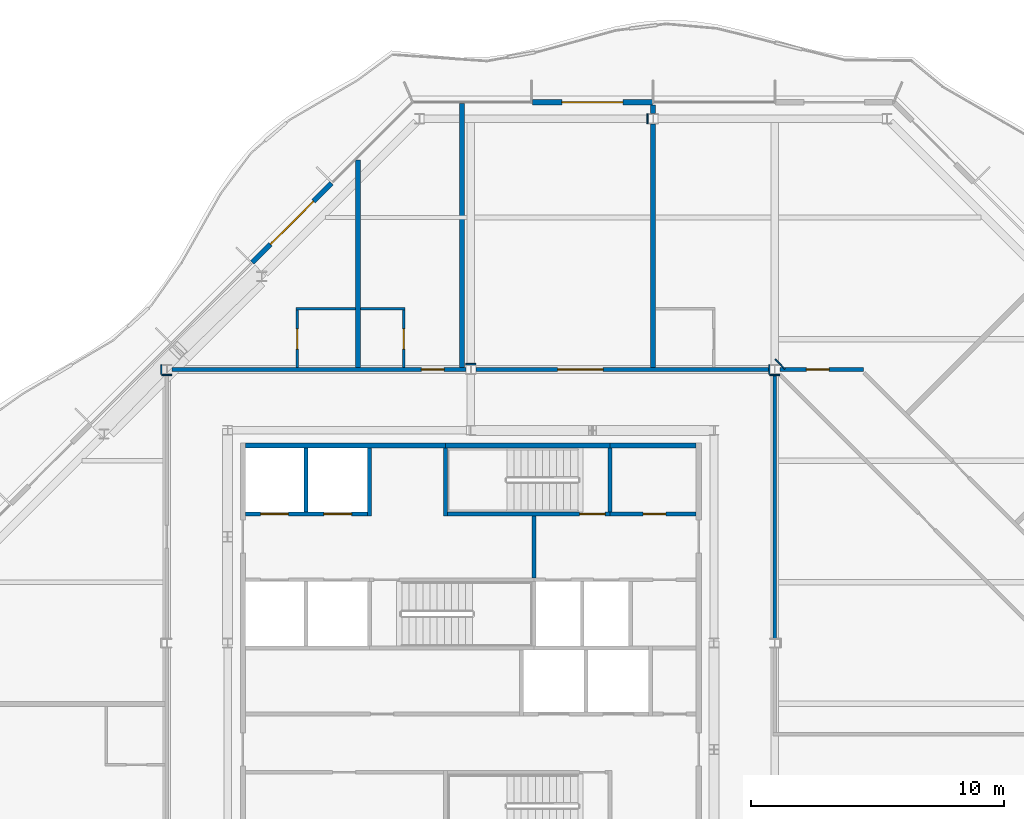
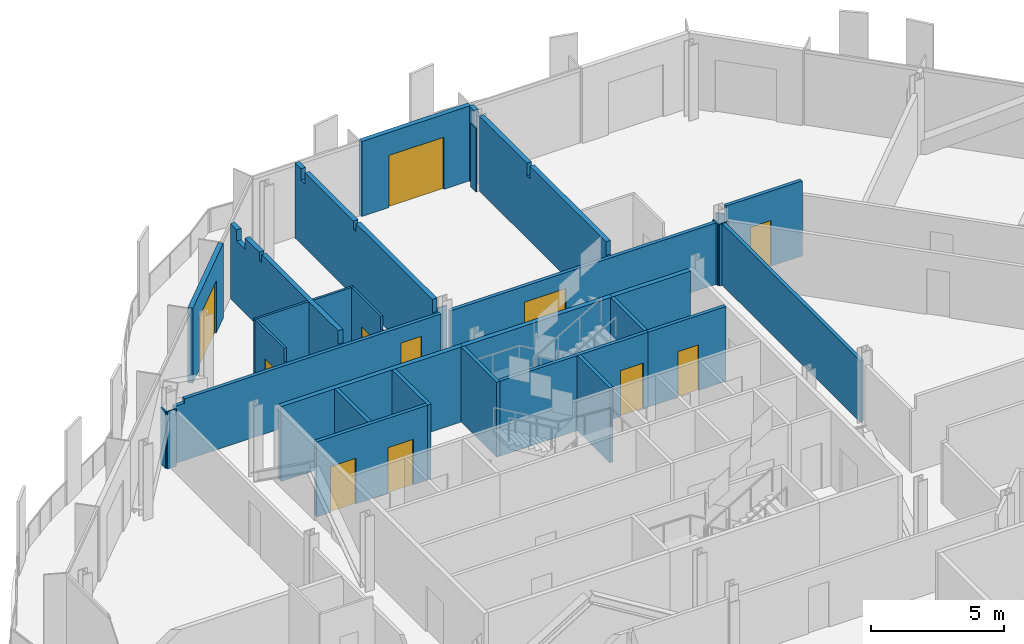
# One storey, part 11 of 17: 32 walls, 11 doors, 11 openings.
"""IFC4 building model written with IfcOpenShell, lengths in metres."""

from ifc_helpers import new_model, si_unit, direction, frame, frame_2d, origin, place, context, subcontext, project, spatial, polyline, rectangle, outline, extrude, material, layer, layer_set, type_object, element, fill, save


model = new_model("IFC4")

# Units and contexts
model_context = context("Model", 3, precision=1e-05, world=origin(), true_north=direction((0.0, 1.0)))
body_context = subcontext(model_context, "Body", "Model", "MODEL_VIEW")
ifc_project = project(units=[si_unit("LENGTHUNIT", "METRE"), si_unit("AREAUNIT", "SQUARE_METRE"), si_unit("VOLUMEUNIT", "CUBIC_METRE"), si_unit("PLANEANGLEUNIT", "RADIAN"), si_unit("MASSUNIT", "GRAM", prefix="KILO")], contexts=[model_context])

# Site, building, storey
site_placement = place(None, origin())
site = spatial("IfcSite", under=ifc_project, at=site_placement, CompositionType="ELEMENT")
building_placement = place(site_placement, origin())
building = spatial("IfcBuilding", under=site, at=building_placement, Name="Cairn Pilgrim Tower", CompositionType="ELEMENT")
storey_placement = place(building_placement, frame((0.0, 0.0, 235.800048828125)))
storey = spatial("IfcBuildingStorey", under=building, at=storey_placement, Name="L60", CompositionType="ELEMENT", Elevation=235.800048828125)

# Wall, opening, door
ifc_material_1 = material(Name="Bronze anodised aluminium insulated sandwich panel with mineral wool fill", Category="aluminium")
ifc_layer_1 = layer(ifc_material_1, 0.199951171875)
ifc_layer_set_1 = layer_set([ifc_layer_1], Name="BRONZE INFILL FRAME WALL 200")
wall_type_1 = type_object("IfcWallType", Name="BRONZE INFILL FRAME WALL 200", PredefinedType="NOTDEFINED", material=ifc_layer_set_1)
wall_1_placement = place(storey_placement, frame((14.3701171875, 23.75, 0.0), z_axis=(0.0, 0.0, 1.0), x_axis=(-1.0, 0.0, 0.0)))
wall_1 = element("IfcWall", 1, at=wall_1_placement, inside=storey, type_object=wall_type_1, Name="Bronze infill frame wall IW-N3", PredefinedType="NOTDEFINED", context=body_context, shape_type="SweptSolid", body=[
    extrude(rectangle(XDim=4.740234375, YDim=0.199951171875, at=frame_2d((2.3701171875, 0.0))), origin(), (0.0, 0.0, 1.0), 3.449951171875),
])
opening_1_placement = place(wall_1_placement, frame((1.169921875, 0.0, 0.0)))
opening_1 = element("IfcOpeningElement", 2, at=opening_1_placement, cuts=wall_1, Name="Opening 6009B", PredefinedType="OPENING", context=body_context, shape_type="SweptSolid", body=[
    extrude(rectangle(XDim=2.39990234375, YDim=2.39990234375, at=frame_2d((1.199951171875, 1.199951171875))), frame((0.0, 0.10986328125, 0.0), z_axis=(0.0, -1.0, 0.0), x_axis=(1.0, 0.0, 0.0)), (0.0, 0.0, 1.0), 0.219970703125),
])
ifc_material_2 = material(Name="Bronze anodised aluminium frame with tinted low-E glass", Category="aluminium")
door_type_1 = type_object("IfcDoorType", Name="BALCONY SLIDING DOOR 2400x2400", OperationType="DOUBLE_DOOR_SLIDING", PredefinedType="DOOR", material=ifc_material_2)
door_1_placement = place(opening_1_placement, origin())
door_1 = element("IfcDoor", 3, at=door_1_placement, inside=storey, type_object=door_type_1, Name="Balcony sliding door 6009B", OperationType="SINGLE_SWING_LEFT", OverallHeight=2.39990234375, OverallWidth=2.39990234375, PredefinedType="DOOR", context=body_context, shape_type="SweptSolid", body=[
    extrude(rectangle(XDim=2.39990234375, YDim=2.39990234375, at=frame_2d((1.199951171875, 1.199951171875))), frame((0.0, 0.02490234375, 0.0), z_axis=(0.0, -1.0, 0.0), x_axis=(1.0, 0.0, 0.0)), (0.0, 0.0, 1.0), 0.050048828125),
])
fill(opening_1, door_1)

wall_2_placement = place(storey_placement, frame((1.706787109375, 20.55322265625, 0.0), z_axis=(0.0, 0.0, 1.0), x_axis=(-0.707106781187, -0.707106781187, 0.0)))
wall_2 = element("IfcWall", 4, at=wall_2_placement, inside=storey, type_object=wall_type_1, Name="Bronze infill frame wall IW-NW2", PredefinedType="NOTDEFINED", context=body_context, shape_type="SweptSolid", body=[
    extrude(rectangle(XDim=4.43115234375, YDim=0.199951171875, at=frame_2d((2.215576171875, 0.0))), origin(), (0.0, 0.0, 1.0), 3.449951171875),
])
opening_2_placement = place(wall_2_placement, frame((1.015869140625, 0.0, 0.0)))
opening_2 = element("IfcOpeningElement", 5, at=opening_2_placement, cuts=wall_2, Name="Opening 6011B2", PredefinedType="OPENING", context=body_context, shape_type="SweptSolid", body=[
    extrude(rectangle(XDim=2.39990234375, YDim=2.39990234375, at=frame_2d((1.199951171875, 1.199951171875))), frame((0.0, 0.10986328125, 0.0), z_axis=(0.0, -1.0, 0.0), x_axis=(1.0, 0.0, 0.0)), (0.0, 0.0, 1.0), 0.219970703125),
])
door_2_placement = place(opening_2_placement, origin())
door_2 = element("IfcDoor", 6, at=door_2_placement, inside=storey, type_object=door_type_1, Name="Balcony sliding door 6011B2", OperationType="SINGLE_SWING_LEFT", OverallHeight=2.39990234375, OverallWidth=2.39990234375, PredefinedType="DOOR", context=body_context, shape_type="SweptSolid", body=[
    extrude(rectangle(XDim=2.39990234375, YDim=2.39990234375, at=frame_2d((1.199951171875, 1.199951171875))), frame((0.0, 0.02490234375, 0.0), z_axis=(0.0, -1.0, 0.0), x_axis=(1.0, 0.0, 0.0)), (0.0, 0.0, 1.0), 0.050048828125),
])
fill(opening_2, door_2)

# Walls
ifc_material_3 = material(Name="Concrete C32/40", Category="concrete")
ifc_layer_2 = layer(ifc_material_3, 0.199951171875)
ifc_layer_set_2 = layer_set([ifc_layer_2], Name="CORE OUTER WALL 200 EI 120")
wall_type_2 = type_object("IfcWallType", Name="CORE OUTER WALL 200 EI 120", PredefinedType="SOLIDWALL", material=ifc_layer_set_2)
wall_3_placement = place(storey_placement, frame((-1.699951171875, 10.199951171875, 0.0), z_axis=(0.0, 0.0, 1.0), x_axis=(1.0, 0.0, 0.0)))
element("IfcWall", 7, at=wall_3_placement, inside=storey, type_object=wall_type_2, Name="CW:L60:H12-1", PredefinedType="SOLIDWALL", context=body_context, shape_type="SweptSolid", body=[
    extrude(rectangle(XDim=7.89990234375, YDim=0.199951171875, at=frame_2d((3.949951171875, 0.0))), origin(), (0.0, 0.0, 1.0), 3.449951171875),
])
wall_4_placement = place(storey_placement, frame((12.699951171875, 10.199951171875, 0.0), z_axis=(0.0, 0.0, 1.0), x_axis=(1.0, 0.0, 0.0)))
element("IfcWall", 8, at=wall_4_placement, inside=storey, type_object=wall_type_2, Name="CW:L60:H12-3", PredefinedType="SOLIDWALL", context=body_context, shape_type="SweptSolid", body=[
    extrude(rectangle(XDim=3.400146484375, YDim=0.199951171875, at=frame_2d((1.7001953125, 0.0))), origin(), (0.0, 0.0, 1.0), 3.449951171875),
])

# Wall, openings, doors
ifc_layer_3 = layer(ifc_material_3, 0.14990234375)
ifc_layer_set_3 = layer_set([ifc_layer_3], Name="CORE SHAFT WALL 150 EI 120")
wall_type_3 = type_object("IfcWallType", Name="CORE SHAFT WALL 150 EI 120", PredefinedType="SOLIDWALL", material=ifc_layer_set_3)
wall_5_placement = place(storey_placement, frame((-1.699951171875, 7.5, 0.0), z_axis=(0.0, 0.0, 1.0), x_axis=(1.0, 0.0, 0.0)))
wall_5 = element("IfcWall", 9, at=wall_5_placement, inside=storey, type_object=wall_type_3, Name="CW:L60:H10", PredefinedType="SOLIDWALL", context=body_context, shape_type="SweptSolid", body=[
    extrude(rectangle(XDim=4.824951171875, YDim=0.14990234375, at=frame_2d((2.41259765625, 0.0))), origin(), (0.0, 0.0, 1.0), 3.449951171875),
])
opening_3_placement = place(wall_5_placement, frame((0.60009765625, 0.0, 0.0)))
opening_3 = element("IfcOpeningElement", 10, at=opening_3_placement, cuts=wall_5, Name="Opening LD-HR3", PredefinedType="OPENING", context=body_context, shape_type="SweptSolid", body=[
    extrude(rectangle(XDim=1.10009765625, YDim=2.10009765625, at=frame_2d((0.550048828125, 1.050048828125))), frame((0.0, 0.0849609375, 0.0), z_axis=(0.0, -1.0, 0.0), x_axis=(1.0, 0.0, 0.0)), (0.0, 0.0, 1.0), 0.169921875),
])
opening_4_placement = place(wall_5_placement, frame((3.10009765625, 0.0, 0.0)))
opening_4 = element("IfcOpeningElement", 11, at=opening_4_placement, cuts=wall_5, Name="Opening LD-HR4", PredefinedType="OPENING", context=body_context, shape_type="SweptSolid", body=[
    extrude(rectangle(XDim=1.10009765625, YDim=2.10009765625, at=frame_2d((0.550048828125, 1.050048828125))), frame((0.0, 0.0849609375, 0.0), z_axis=(0.0, -1.0, 0.0), x_axis=(1.0, 0.0, 0.0)), (0.0, 0.0, 1.0), 0.169921875),
])
ifc_material_4 = material(Name="Stainless steel", Category="steel")
door_type_2 = type_object("IfcDoorType", Name="LIFT LANDING DOOR 1100x2100", OperationType="DOUBLE_DOOR_SLIDING", PredefinedType="DOOR", material=ifc_material_4)
door_3_placement = place(opening_3_placement, origin())
door_3 = element("IfcDoor", 12, at=door_3_placement, inside=storey, type_object=door_type_2, Name="LANDING DOOR HR3", OperationType="DOUBLE_DOOR_SLIDING", OverallHeight=2.10009765625, OverallWidth=1.10009765625, PredefinedType="DOOR", context=body_context, shape_type="SweptSolid", body=[
    extrude(rectangle(XDim=1.10009765625, YDim=2.10009765625, at=frame_2d((0.550048828125, 1.050048828125))), frame((0.0, 0.02490234375, 0.0), z_axis=(0.0, -1.0, 0.0), x_axis=(1.0, 0.0, 0.0)), (0.0, 0.0, 1.0), 0.050048828125),
])
fill(opening_3, door_3)
door_4_placement = place(opening_4_placement, origin())
door_4 = element("IfcDoor", 13, at=door_4_placement, inside=storey, type_object=door_type_2, Name="LANDING DOOR HR4", OperationType="DOUBLE_DOOR_SLIDING", OverallHeight=2.10009765625, OverallWidth=1.10009765625, PredefinedType="DOOR", context=body_context, shape_type="SweptSolid", body=[
    extrude(rectangle(XDim=1.10009765625, YDim=2.10009765625, at=frame_2d((0.550048828125, 1.050048828125))), frame((0.0, 0.02490234375, 0.0), z_axis=(0.0, -1.0, 0.0), x_axis=(1.0, 0.0, 0.0)), (0.0, 0.0, 1.0), 0.050048828125),
])
fill(opening_4, door_4)

# Wall, opening, door
wall_6_placement = place(storey_placement, frame((12.699951171875, 7.5, 0.0), z_axis=(0.0, 0.0, 1.0), x_axis=(1.0, 0.0, 0.0)))
wall_6 = element("IfcWall", 14, at=wall_6_placement, inside=storey, type_object=wall_type_3, Name="CW:L60:H11-2", PredefinedType="SOLIDWALL", context=body_context, shape_type="SweptSolid", body=[
    extrude(rectangle(XDim=3.400146484375, YDim=0.14990234375, at=frame_2d((1.7001953125, 0.0))), origin(), (0.0, 0.0, 1.0), 3.449951171875),
])
opening_5_placement = place(wall_6_placement, frame((1.300048828125, 0.0, 0.0)))
opening_5 = element("IfcOpeningElement", 15, at=opening_5_placement, cuts=wall_6, Name="Opening RD-R4E", PredefinedType="OPENING", context=body_context, shape_type="SweptSolid", body=[
    extrude(rectangle(XDim=0.89990234375, YDim=2.10009765625, at=frame_2d((0.449951171875, 1.050048828125))), frame((0.0, 0.0849609375, 0.0), z_axis=(0.0, -1.0, 0.0), x_axis=(1.0, 0.0, 0.0)), (0.0, 0.0, 1.0), 0.169921875),
])
ifc_material_5 = material(Name="Painted steel", Category="steel")
door_type_3 = type_object("IfcDoorType", Name="SERVICE ROOM DOOR 900x2100", OperationType="SINGLE_SWING_LEFT", PredefinedType="DOOR", material=ifc_material_5)
door_5_placement = place(opening_5_placement, origin())
door_5 = element("IfcDoor", 16, at=door_5_placement, inside=storey, type_object=door_type_3, Name="RD-R4E", OperationType="SINGLE_SWING_RIGHT", OverallHeight=2.10009765625, OverallWidth=0.89990234375, PredefinedType="DOOR", context=body_context, shape_type="SweptSolid", body=[
    extrude(rectangle(XDim=0.89990234375, YDim=2.10009765625, at=frame_2d((0.449951171875, 1.050048828125))), frame((0.0, 0.02490234375, 0.0), z_axis=(0.0, -1.0, 0.0), x_axis=(1.0, 0.0, 0.0)), (0.0, 0.0, 1.0), 0.050048828125),
])
fill(opening_5, door_5)

# Walls
wall_7_placement = place(storey_placement, frame((0.699951171875, 7.574951171875, 0.0), z_axis=(0.0, 0.0, 1.0), x_axis=(0.0, 1.0, 0.0)))
element("IfcWall", 17, at=wall_7_placement, inside=storey, type_object=wall_type_3, Name="CW:L60:V15", PredefinedType="SOLIDWALL", context=body_context, shape_type="SweptSolid", body=[
    extrude(rectangle(XDim=2.525146484375, YDim=0.14990234375, at=frame_2d((1.2626953125, 0.0))), origin(), (0.0, 0.0, 1.0), 3.449951171875),
])
wall_8_placement = place(storey_placement, frame((3.199951171875, 7.425048828125, 0.0), z_axis=(0.0, 0.0, 1.0), x_axis=(0.0, 1.0, 0.0)))
element("IfcWall", 18, at=wall_8_placement, inside=storey, type_object=wall_type_3, Name="CW:L60:V17", PredefinedType="SOLIDWALL", context=body_context, shape_type="SweptSolid", body=[
    extrude(rectangle(XDim=2.675048828125, YDim=0.14990234375, at=frame_2d((1.33740234375, 0.0))), origin(), (0.0, 0.0, 1.0), 3.449951171875),
])
wall_9_placement = place(storey_placement, frame((9.699951171875, 4.97509765625, 0.0), z_axis=(0.0, 0.0, 1.0), x_axis=(0.0, 1.0, 0.0)))
element("IfcWall", 19, at=wall_9_placement, inside=storey, type_object=wall_type_3, Name="CW:L60:V22", PredefinedType="SOLIDWALL", context=body_context, shape_type="SweptSolid", body=[
    extrude(rectangle(XDim=2.449951171875, YDim=0.14990234375, at=frame_2d((1.22509765625, 0.0))), origin(), (0.0, 0.0, 1.0), 3.449951171875),
])

# Wall, opening, door
ifc_material_6 = material(Name="Gypsum partition")
ifc_layer_4 = layer(ifc_material_6, 0.10009765625)
ifc_layer_set_4 = layer_set([ifc_layer_4], Name="PARTITION 100 DRYWALL")
wall_type_4 = type_object("IfcWallType", Name="PARTITION 100 DRYWALL", PredefinedType="PARTITIONING", material=ifc_layer_set_4)
wall_10_placement = place(storey_placement, frame((0.35205078125, 13.27490234375, 0.0), z_axis=(0.0, 0.0, 1.0), x_axis=(0.0, 1.0, 0.0)))
wall_10 = element("IfcWall", 20, at=wall_10_placement, inside=storey, type_object=wall_type_4, Name="PARTITION W070", PredefinedType="PARTITIONING", context=body_context, shape_type="SweptSolid", body=[
    extrude(outline(polyline([(0.0, 0.0), (2.275146484375, 0.0), (2.27490234375, 3.449951171875), (0.074951171875, 3.449951171875), (0.072998046875, 2.829833984375), (0.0, 2.829833984375), (0.0, 0.0)])), frame((0.0, 0.050048828125, 0.0), z_axis=(0.0, -1.0, 0.0), x_axis=(1.0, 0.0, 0.0)), (0.0, 0.0, 1.0), 0.10009765625),
])
opening_6_placement = place(wall_10_placement, frame((0.72509765625, 0.0, 0.0)))
opening_6 = element("IfcOpeningElement", 21, at=opening_6_placement, cuts=wall_10, Name="Opening 6011A", PredefinedType="OPENING", context=body_context, shape_type="SweptSolid", body=[
    extrude(rectangle(XDim=0.800048828125, YDim=2.10009765625, at=frame_2d((0.39990234375, 1.050048828125))), frame((0.0, 0.06005859375, 0.0), z_axis=(0.0, -1.0, 0.0), x_axis=(1.0, 0.0, 0.0)), (0.0, 0.0, 1.0), 0.1201171875),
])
ifc_material_7 = material(Name="Timber door leaf", Category="wood")
door_type_4 = type_object("IfcDoorType", Name="WC DOOR 800x2100", OperationType="NOTDEFINED", PredefinedType="DOOR", material=ifc_material_7)
door_6_placement = place(opening_6_placement, origin())
door_6 = element("IfcDoor", 22, at=door_6_placement, inside=storey, type_object=door_type_4, Name="DOOR 6011A", OperationType="SINGLE_SWING_LEFT", OverallHeight=2.10009765625, OverallWidth=0.800048828125, PredefinedType="DOOR", context=body_context, shape_type="SweptSolid", body=[
    extrude(rectangle(XDim=0.800048828125, YDim=2.10009765625, at=frame_2d((0.39990234375, 1.050048828125))), frame((0.0, 0.02490234375, 0.0), z_axis=(0.0, -1.0, 0.0), x_axis=(1.0, 0.0, 0.0)), (0.0, 0.0, 1.0), 0.050048828125),
])
fill(opening_6, door_6)

wall_11_placement = place(storey_placement, frame((4.552001953125, 13.27490234375, 0.0), z_axis=(0.0, 0.0, 1.0), x_axis=(0.0, 1.0, 0.0)))
wall_11 = element("IfcWall", 23, at=wall_11_placement, inside=storey, type_object=wall_type_4, Name="PARTITION W072", PredefinedType="PARTITIONING", context=body_context, shape_type="SweptSolid", body=[
    extrude(outline(polyline([(0.0, 0.0), (2.275146484375, 0.0), (2.27490234375, 3.449951171875), (0.074951171875, 3.449951171875), (0.072998046875, 2.829833984375), (0.0, 2.829833984375), (0.0, 0.0)])), frame((0.0, 0.050048828125, 0.0), z_axis=(0.0, -1.0, 0.0), x_axis=(1.0, 0.0, 0.0)), (0.0, 0.0, 1.0), 0.10009765625),
])
opening_7_placement = place(wall_11_placement, frame((0.72509765625, 0.0, 0.0)))
opening_7 = element("IfcOpeningElement", 24, at=opening_7_placement, cuts=wall_11, Name="Opening 6010A", PredefinedType="OPENING", context=body_context, shape_type="SweptSolid", body=[
    extrude(rectangle(XDim=0.800048828125, YDim=2.10009765625, at=frame_2d((0.39990234375, 1.050048828125))), frame((0.0, 0.06005859375, 0.0), z_axis=(0.0, -1.0, 0.0), x_axis=(1.0, 0.0, 0.0)), (0.0, 0.0, 1.0), 0.1201171875),
])
door_7_placement = place(opening_7_placement, frame((0.800048828125, 0.0, 0.0), z_axis=(0.0, 0.0, 1.0), x_axis=(-1.0, 0.0, 0.0)))
door_7 = element("IfcDoor", 25, at=door_7_placement, inside=storey, type_object=door_type_4, Name="DOOR 6010A", OperationType="SINGLE_SWING_LEFT", OverallHeight=2.10009765625, OverallWidth=0.800048828125, PredefinedType="DOOR", context=body_context, shape_type="SweptSolid", body=[
    extrude(rectangle(XDim=0.800048828125, YDim=2.10009765625, at=frame_2d((0.39990234375, 1.050048828125))), frame((0.0, 0.02490234375, 0.0), z_axis=(0.0, -1.0, 0.0), x_axis=(1.0, 0.0, 0.0)), (0.0, 0.0, 1.0), 0.050048828125),
])
fill(opening_7, door_7)

# Walls
wall_12_placement = place(storey_placement, frame((0.302001953125, 15.60009765625, 0.0), z_axis=(0.0, 0.0, 1.0), x_axis=(1.0, 0.0, 0.0)))
element("IfcWall", 26, at=wall_12_placement, inside=storey, type_object=wall_type_4, Name="PARTITION W076", PredefinedType="PARTITIONING", context=body_context, shape_type="SweptSolid", body=[
    extrude(rectangle(XDim=2.35009765625, YDim=0.10009765625, at=frame_2d((1.175048828125, 0.0))), origin(), (0.0, 0.0, 1.0), 3.449951171875),
])
wall_13_placement = place(storey_placement, frame((2.85205078125, 15.60009765625, 0.0), z_axis=(0.0, 0.0, 1.0), x_axis=(1.0, 0.0, 0.0)))
element("IfcWall", 27, at=wall_13_placement, inside=storey, type_object=wall_type_4, Name="PARTITION W077", PredefinedType="PARTITIONING", context=body_context, shape_type="SweptSolid", body=[
    extrude(rectangle(XDim=1.75, YDim=0.10009765625, at=frame_2d((0.875, 0.0))), origin(), (0.0, 0.0, 1.0), 3.449951171875),
])
ifc_layer_5 = layer(ifc_material_6, 0.14990234375)
ifc_layer_set_5 = layer_set([ifc_layer_5], Name="PARTITION 150 DRYWALL EI 60")
wall_type_5 = type_object("IfcWallType", Name="PARTITION 150 DRYWALL EI 60", PredefinedType="PARTITIONING", material=ifc_layer_set_5)
wall_14_placement = place(storey_placement, frame((19.199951171875, 2.58740234375, 0.0), z_axis=(0.0, 0.0, 1.0), x_axis=(0.0, 1.0, 0.0)))
element("IfcWall", 28, at=wall_14_placement, inside=storey, type_object=wall_type_5, Name="PARTITION W059", PredefinedType="PARTITIONING", context=body_context, shape_type="SweptSolid", body=[
    extrude(rectangle(XDim=10.425048828125, YDim=0.14990234375, at=frame_2d((5.21240234375, 0.0))), origin(), (0.0, 0.0, 1.0), 2.829833984375),
])

# Wall, opening, door
wall_15_placement = place(storey_placement, frame((-4.60302734375, 13.199951171875, 0.0), z_axis=(0.0, 0.0, 1.0), x_axis=(1.0, 0.0, 0.0)))
wall_15 = element("IfcWall", 29, at=wall_15_placement, inside=storey, type_object=wall_type_5, Name="PARTITION W067", PredefinedType="PARTITIONING", context=body_context, shape_type="SweptSolid", body=[
    extrude(outline(polyline([(0.0, 0.0), (11.60595703125, 0.0), (11.60595703125, 2.829833984375), (0.44580078125, 2.829833984375), (0.44384765625, 2.6298828125), (0.0, 2.6298828125), (0.0, 0.0)])), frame((0.0, 0.074951171875, 0.0), z_axis=(0.0, -1.0, 0.0), x_axis=(1.0, 0.0, 0.0)), (0.0, 0.0, 1.0), 0.14990234375),
])
opening_8_placement = place(wall_15_placement, frame((9.85302734375, 0.0, 0.0)))
opening_8 = element("IfcOpeningElement", 30, at=opening_8_placement, cuts=wall_15, Name="Opening 6010", PredefinedType="OPENING", context=body_context, shape_type="SweptSolid", body=[
    extrude(rectangle(XDim=0.89990234375, YDim=2.10009765625, at=frame_2d((0.449951171875, 1.050048828125))), frame((0.0, 0.0849609375, 0.0), z_axis=(0.0, -1.0, 0.0), x_axis=(1.0, 0.0, 0.0)), (0.0, 0.0, 1.0), 0.169921875),
])
door_type_5 = type_object("IfcDoorType", Name="ROOM DOOR 900x2100 FD30S", OperationType="NOTDEFINED", PredefinedType="DOOR", material=ifc_material_7)
door_8_placement = place(opening_8_placement, origin())
door_8 = element("IfcDoor", 31, at=door_8_placement, inside=storey, type_object=door_type_5, Name="DOOR 6010", OperationType="SINGLE_SWING_LEFT", OverallHeight=2.10009765625, OverallWidth=0.89990234375, PredefinedType="DOOR", context=body_context, shape_type="SweptSolid", body=[
    extrude(rectangle(XDim=0.89990234375, YDim=2.10009765625, at=frame_2d((0.449951171875, 1.050048828125))), frame((0.0, 0.02490234375, 0.0), z_axis=(0.0, -1.0, 0.0), x_axis=(1.0, 0.0, 0.0)), (0.0, 0.0, 1.0), 0.050048828125),
])
fill(opening_8, door_8)

wall_16_placement = place(storey_placement, frame((7.39697265625, 13.199951171875, 0.0), z_axis=(0.0, 0.0, 1.0), x_axis=(1.0, 0.0, 0.0)))
wall_16 = element("IfcWall", 32, at=wall_16_placement, inside=storey, type_object=wall_type_5, Name="PARTITION W068", PredefinedType="PARTITIONING", context=body_context, shape_type="SweptSolid", body=[
    extrude(rectangle(XDim=11.60595703125, YDim=0.14990234375, at=frame_2d((5.802978515625, 0.0))), origin(), (0.0, 0.0, 1.0), 2.829833984375),
])
opening_9_placement = place(wall_16_placement, frame((3.22705078125, 0.0, 0.0)))
opening_9 = element("IfcOpeningElement", 33, at=opening_9_placement, cuts=wall_16, Name="Opening 6009", PredefinedType="OPENING", context=body_context, shape_type="SweptSolid", body=[
    extrude(rectangle(XDim=1.800048828125, YDim=2.10009765625, at=frame_2d((0.89990234375, 1.050048828125))), frame((0.0, 0.0849609375, 0.0), z_axis=(0.0, -1.0, 0.0), x_axis=(1.0, 0.0, 0.0)), (0.0, 0.0, 1.0), 0.169921875),
])
door_type_6 = type_object("IfcDoorType", Name="DOOR PAIR 1800x2100 FD60S", OperationType="NOTDEFINED", PredefinedType="DOOR", material=ifc_material_7)
door_9_placement = place(opening_9_placement, origin())
door_9 = element("IfcDoor", 34, at=door_9_placement, inside=storey, type_object=door_type_6, Name="DOOR 6009", OperationType="DOUBLE_DOOR_SINGLE_SWING", OverallHeight=2.10009765625, OverallWidth=1.800048828125, PredefinedType="DOOR", context=body_context, shape_type="SweptSolid", body=[
    extrude(rectangle(XDim=1.800048828125, YDim=2.10009765625, at=frame_2d((0.89990234375, 1.050048828125))), frame((0.0, 0.02490234375, 0.0), z_axis=(0.0, -1.0, 0.0), x_axis=(1.0, 0.0, 0.0)), (0.0, 0.0, 1.0), 0.050048828125),
])
fill(opening_9, door_9)

wall_17_placement = place(storey_placement, frame((19.39697265625, 13.199951171875, 0.0), z_axis=(0.0, 0.0, 1.0), x_axis=(1.0, 0.0, 0.0)))
wall_17 = element("IfcWall", 35, at=wall_17_placement, inside=storey, type_object=wall_type_5, Name="PARTITION W069", PredefinedType="PARTITIONING", context=body_context, shape_type="SweptSolid", body=[
    extrude(rectangle(XDim=3.30322265625, YDim=0.14990234375, at=frame_2d((1.651611328125, 0.0))), origin(), (0.0, 0.0, 1.0), 3.449951171875),
])
opening_10_placement = place(wall_17_placement, frame((1.050048828125, 0.0, 0.0)))
opening_10 = element("IfcOpeningElement", 36, at=opening_10_placement, cuts=wall_17, Name="Opening 6008", PredefinedType="OPENING", context=body_context, shape_type="SweptSolid", body=[
    extrude(rectangle(XDim=0.89990234375, YDim=2.10009765625, at=frame_2d((0.449951171875, 1.050048828125))), frame((0.0, 0.0849609375, 0.0), z_axis=(0.0, -1.0, 0.0), x_axis=(1.0, 0.0, 0.0)), (0.0, 0.0, 1.0), 0.169921875),
])
door_10_placement = place(opening_10_placement, origin())
door_10 = element("IfcDoor", 37, at=door_10_placement, inside=storey, type_object=door_type_5, Name="DOOR 6008", OperationType="SINGLE_SWING_RIGHT", OverallHeight=2.10009765625, OverallWidth=0.89990234375, PredefinedType="DOOR", context=body_context, shape_type="SweptSolid", body=[
    extrude(rectangle(XDim=0.89990234375, YDim=2.10009765625, at=frame_2d((0.449951171875, 1.050048828125))), frame((0.0, 0.02490234375, 0.0), z_axis=(0.0, -1.0, 0.0), x_axis=(1.0, 0.0, 0.0)), (0.0, 0.0, 1.0), 0.050048828125),
])
fill(opening_10, door_10)

# Walls
ifc_layer_6 = layer(ifc_material_6, 0.050048828125)
ifc_layer_set_6 = layer_set([ifc_layer_6], Name="PARTITION 50 DRYWALL EI 60")
wall_type_6 = type_object("IfcWallType", Name="PARTITION 50 DRYWALL EI 60", PredefinedType="PARTITIONING", material=ifc_layer_set_6)
wall_18_placement = place(storey_placement, frame((-5.02197265625, 13.012451171875, 0.0), z_axis=(0.0, 0.0, 1.0), x_axis=(0.0, 1.0, 0.0)))
element("IfcWall", 38, at=wall_18_placement, inside=storey, type_object=wall_type_6, Name="COLUMN CASING WC05", PredefinedType="PARTITIONING", context=body_context, shape_type="SweptSolid", body=[
    extrude(rectangle(XDim=0.375, YDim=0.050048828125, at=frame_2d((0.1875, 0.0))), origin(), (0.0, 0.0, 1.0), 2.6298828125),
])
wall_19_placement = place(storey_placement, frame((18.97802734375, 13.012451171875, 0.0), z_axis=(0.0, 0.0, 1.0), x_axis=(0.0, 1.0, 0.0)))
element("IfcWall", 39, at=wall_19_placement, inside=storey, type_object=wall_type_6, Name="COLUMN CASING WC13", PredefinedType="PARTITIONING", context=body_context, shape_type="SweptSolid", body=[
    extrude(rectangle(XDim=0.375, YDim=0.050048828125, at=frame_2d((0.1875, 0.0))), origin(), (0.0, 0.0, 1.0), 2.829833984375),
])
wall_20_placement = place(storey_placement, frame((19.602294921875, 13.2177734375, 0.0), z_axis=(0.0, 0.0, 1.0), x_axis=(-0.707106781187, 0.707106781187, 0.0)))
element("IfcWall", 40, at=wall_20_placement, inside=storey, type_object=wall_type_6, Name="COLUMN CASING WC15", PredefinedType="PARTITIONING", context=body_context, shape_type="SweptSolid", body=[
    extrude(rectangle(XDim=0.543701171875, YDim=0.050048828125, at=frame_2d((0.27197265625, 0.0))), origin(), (0.0, 0.0, 1.0), 2.929931640625),
])
wall_21_placement = place(storey_placement, frame((-4.9970703125, 12.987548828125, 0.0), z_axis=(0.0, 0.0, 1.0), x_axis=(1.0, 0.0, 0.0)))
element("IfcWall", 41, at=wall_21_placement, inside=storey, type_object=wall_type_6, Name="COLUMN CASING WC19", PredefinedType="PARTITIONING", context=body_context, shape_type="SweptSolid", body=[
    extrude(rectangle(XDim=0.39404296875, YDim=0.050048828125, at=frame_2d((0.197021484375, 0.0))), origin(), (0.0, 0.0, 1.0), 2.6298828125),
])
wall_22_placement = place(storey_placement, frame((7.0029296875, 13.41259765625, 0.0), z_axis=(0.0, 0.0, 1.0), x_axis=(1.0, 0.0, 0.0)))
element("IfcWall", 42, at=wall_22_placement, inside=storey, type_object=wall_type_6, Name="COLUMN CASING WC20", PredefinedType="PARTITIONING", context=body_context, shape_type="SweptSolid", body=[
    extrude(rectangle(XDim=0.39404296875, YDim=0.050048828125, at=frame_2d((0.197021484375, 0.0))), origin(), (0.0, 0.0, 1.0), 2.929931640625),
])
wall_23_placement = place(storey_placement, frame((19.0029296875, 12.987548828125, 0.0), z_axis=(0.0, 0.0, 1.0), x_axis=(1.0, 0.0, 0.0)))
element("IfcWall", 43, at=wall_23_placement, inside=storey, type_object=wall_type_6, Name="COLUMN CASING WC21", PredefinedType="PARTITIONING", context=body_context, shape_type="SweptSolid", body=[
    extrude(rectangle(XDim=0.39404296875, YDim=0.050048828125, at=frame_2d((0.197021484375, 0.0))), origin(), (0.0, 0.0, 1.0), 2.829833984375),
])
wall_24_placement = place(storey_placement, frame((14.173095703125, 22.896484375, 0.0), z_axis=(0.0, 0.0, 1.0), x_axis=(0.0, 1.0, 0.0)))
element("IfcWall", 44, at=wall_24_placement, inside=storey, type_object=wall_type_6, Name="COLUMN CASING WC22", PredefinedType="PARTITIONING", context=body_context, shape_type="SweptSolid", body=[
    extrude(rectangle(XDim=0.406982421875, YDim=0.050048828125, at=frame_2d((0.20361328125, 0.0))), origin(), (0.0, 0.0, 1.0), 2.929931640625),
])
ifc_layer_7 = layer(ifc_material_6, 0.199951171875)
ifc_layer_set_7 = layer_set([ifc_layer_7], Name="SHAFT WALL 200 GYPSUM EI 60")
wall_type_7 = type_object("IfcWallType", Name="SHAFT WALL 200 GYPSUM EI 60", PredefinedType="PARTITIONING", material=ifc_layer_set_7)
wall_25_placement = place(storey_placement, frame((2.751953125, 13.27490234375, 0.0), z_axis=(0.0, 0.0, 1.0), x_axis=(0.0, 1.0, 0.0)))
element("IfcWall", 45, at=wall_25_placement, inside=storey, type_object=wall_type_7, Name="PARTITION W071", PredefinedType="PARTITIONING", context=body_context, shape_type="SweptSolid", body=[
    extrude(outline(polyline([(0.0, 0.0), (8.199462890625, 0.0), (8.199462890625, 3.449951171875), (7.71630859375, 3.449951171875), (7.71435546875, 2.929931640625), (7.092041015625, 2.929931640625), (7.090087890625, 3.449951171875), (6.010009765625, 3.449951171875), (6.008056640625, 3.070068359375), (5.840087890625, 3.070068359375), (5.837890625, 3.449951171875), (0.074951171875, 3.449951171875), (0.072998046875, 2.829833984375), (0.0, 2.829833984375), (0.0, 0.0)])), frame((0.0, 0.10009765625, 0.0), z_axis=(0.0, -1.0, 0.0), x_axis=(1.0, 0.0, 0.0)), (0.0, 0.0, 1.0), 0.199951171875),
])
wall_26_placement = place(storey_placement, frame((6.847900390625, 13.27490234375, 0.0), z_axis=(0.0, 0.0, 1.0), x_axis=(0.0, 1.0, 0.0)))
element("IfcWall", 46, at=wall_26_placement, inside=storey, type_object=wall_type_7, Name="PARTITION W073", PredefinedType="PARTITIONING", context=body_context, shape_type="SweptSolid", body=[
    extrude(outline(polyline([(0.0, 0.0), (10.427978515625, 0.0), (10.427978515625, 3.449951171875), (9.97509765625, 3.449951171875), (9.972900390625, 2.929931640625), (9.675048828125, 2.929931640625), (9.673095703125, 3.449951171875), (6.010009765625, 3.449951171875), (6.008056640625, 3.070068359375), (5.840087890625, 3.070068359375), (5.837890625, 3.449951171875), (0.074951171875, 3.449951171875), (0.072998046875, 2.829833984375), (0.0, 2.829833984375), (0.0, 0.0)])), frame((0.0, 0.10009765625, 0.0), z_axis=(0.0, -1.0, 0.0), x_axis=(1.0, 0.0, 0.0)), (0.0, 0.0, 1.0), 0.199951171875),
])
wall_27_placement = place(storey_placement, frame((14.39990234375, 13.27490234375, 0.0), z_axis=(0.0, 0.0, 1.0), x_axis=(0.0, 1.0, 0.0)))
element("IfcWall", 47, at=wall_27_placement, inside=storey, type_object=wall_type_7, Name="PARTITION W074", PredefinedType="PARTITIONING", context=body_context, shape_type="SweptSolid", body=[
    extrude(outline(polyline([(0.0, 0.0), (9.62158203125, 0.0), (9.62158203125, 3.449951171875), (6.030029296875, 3.449951171875), (6.028076171875, 2.8798828125), (5.820068359375, 2.8798828125), (5.818115234375, 3.449951171875), (0.074951171875, 3.449951171875), (0.072998046875, 2.829833984375), (0.0, 2.829833984375), (0.0, 0.0)])), frame((0.0, 0.10009765625, 0.0), z_axis=(0.0, -1.0, 0.0), x_axis=(1.0, 0.0, 0.0)), (0.0, 0.0, 1.0), 0.199951171875),
])
wall_28_placement = place(storey_placement, frame((14.39990234375, 23.303466796875, 0.0), z_axis=(0.0, 0.0, 1.0), x_axis=(0.0, 1.0, 0.0)))
element("IfcWall", 48, at=wall_28_placement, inside=storey, type_object=wall_type_7, Name="PARTITION W080", PredefinedType="PARTITIONING", context=body_context, shape_type="SweptSolid", body=[
    extrude(rectangle(XDim=0.346435546875, YDim=0.199951171875, at=frame_2d((0.17333984375, 0.0))), origin(), (0.0, 0.0, 1.0), 3.449951171875),
])

# Wall, opening, door
ifc_material_8 = material(Name="Concrete C35/45", Category="concrete")
ifc_layer_8 = layer(ifc_material_8, 0.14990234375)
ifc_layer_set_8 = layer_set([ifc_layer_8], Name="STAIR SHAFT WALL 150 EI 120")
wall_type_8 = type_object("IfcWallType", Name="STAIR SHAFT WALL 150 EI 120", PredefinedType="SOLIDWALL", material=ifc_layer_set_8)
wall_29_placement = place(storey_placement, frame((6.27490234375, 7.5, 0.0), z_axis=(0.0, 0.0, 1.0), x_axis=(1.0, 0.0, 0.0)))
wall_29 = element("IfcWall", 49, at=wall_29_placement, inside=storey, type_object=wall_type_8, Name="CW:L60:H11-1", PredefinedType="SOLIDWALL", context=body_context, shape_type="SweptSolid", body=[
    extrude(rectangle(XDim=6.425048828125, YDim=0.14990234375, at=frame_2d((3.21240234375, 0.0))), origin(), (0.0, 0.0, 1.0), 3.449951171875),
])
opening_11_placement = place(wall_29_placement, frame((5.22509765625, 0.0, 0.0)))
opening_11 = element("IfcOpeningElement", 50, at=opening_11_placement, cuts=wall_29, Name="Opening SD-C", PredefinedType="OPENING", context=body_context, shape_type="SweptSolid", body=[
    extrude(rectangle(XDim=1.0, YDim=2.10009765625, at=frame_2d((0.5, 1.050048828125))), frame((0.0, 0.0849609375, 0.0), z_axis=(0.0, -1.0, 0.0), x_axis=(1.0, 0.0, 0.0)), (0.0, 0.0, 1.0), 0.169921875),
])
door_type_7 = type_object("IfcDoorType", Name="STAIR DOOR FD60S 1000x2100", OperationType="SINGLE_SWING_LEFT", PredefinedType="DOOR", material=ifc_material_5)
door_11_placement = place(opening_11_placement, origin())
door_11 = element("IfcDoor", 51, at=door_11_placement, inside=storey, type_object=door_type_7, Name="SD-C", OperationType="SINGLE_SWING_LEFT", OverallHeight=2.10009765625, OverallWidth=1.0, PredefinedType="DOOR", context=body_context, shape_type="SweptSolid", body=[
    extrude(rectangle(XDim=1.0, YDim=2.10009765625, at=frame_2d((0.5, 1.050048828125))), frame((0.0, 0.02490234375, 0.0), z_axis=(0.0, -1.0, 0.0), x_axis=(1.0, 0.0, 0.0)), (0.0, 0.0, 1.0), 0.050048828125),
])
fill(opening_11, door_11)

# Walls
wall_30_placement = place(storey_placement, frame((6.199951171875, 7.425048828125, 0.0), z_axis=(0.0, 0.0, 1.0), x_axis=(0.0, 1.0, 0.0)))
element("IfcWall", 52, at=wall_30_placement, inside=storey, type_object=wall_type_8, Name="CW:L60:V19", PredefinedType="SOLIDWALL", context=body_context, shape_type="SweptSolid", body=[
    extrude(rectangle(XDim=2.675048828125, YDim=0.14990234375, at=frame_2d((1.33740234375, 0.0))), origin(), (0.0, 0.0, 1.0), 3.449951171875),
])
wall_31_placement = place(storey_placement, frame((12.699951171875, 7.574951171875, 0.0), z_axis=(0.0, 0.0, 1.0), x_axis=(0.0, 1.0, 0.0)))
element("IfcWall", 53, at=wall_31_placement, inside=storey, type_object=wall_type_8, Name="CW:L60:V26", PredefinedType="SOLIDWALL", context=body_context, shape_type="SweptSolid", body=[
    extrude(rectangle(XDim=2.525146484375, YDim=0.14990234375, at=frame_2d((1.2626953125, 0.0))), origin(), (0.0, 0.0, 1.0), 3.449951171875),
])
ifc_layer_9 = layer(ifc_material_8, 0.199951171875)
ifc_layer_set_9 = layer_set([ifc_layer_9], Name="STAIR SHAFT WALL 200 EI 120")
wall_type_9 = type_object("IfcWallType", Name="STAIR SHAFT WALL 200 EI 120", PredefinedType="SOLIDWALL", material=ifc_layer_set_9)
wall_32_placement = place(storey_placement, frame((6.199951171875, 10.199951171875, 0.0), z_axis=(0.0, 0.0, 1.0), x_axis=(1.0, 0.0, 0.0)))
element("IfcWall", 54, at=wall_32_placement, inside=storey, type_object=wall_type_9, Name="CW:L60:H12-2", PredefinedType="SOLIDWALL", context=body_context, shape_type="SweptSolid", body=[
    extrude(rectangle(XDim=6.5, YDim=0.199951171875, at=frame_2d((3.25, 0.0))), origin(), (0.0, 0.0, 1.0), 3.449951171875),
])

save(model, "model.ifc")
